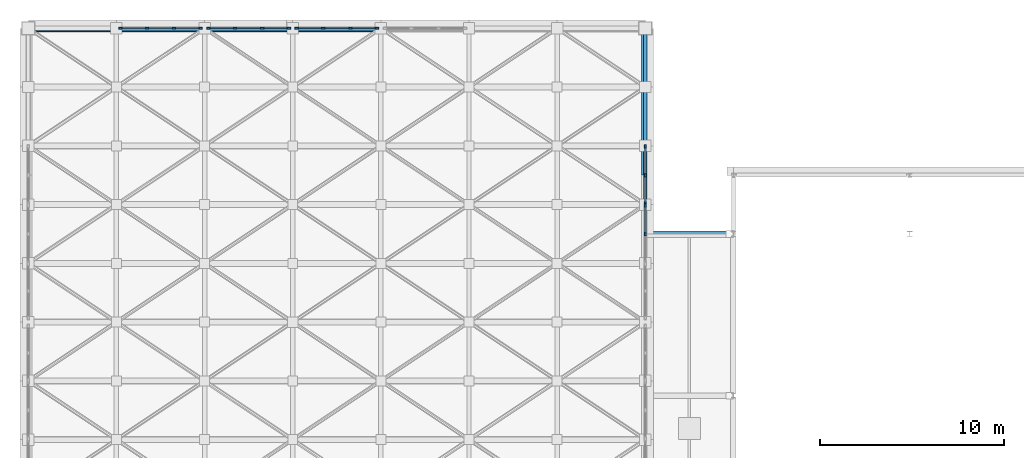
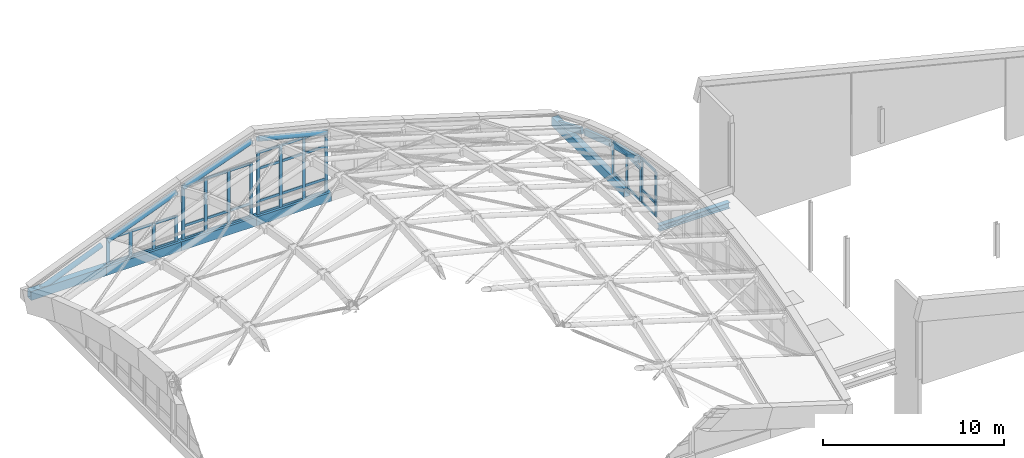
# One storey, part 8 of 14: 58 members, 6 beams, 5 elements without a shape of their own.
"""IFC4 building model written with IfcOpenShell, lengths in metres."""

from ifc_helpers import new_model, si_unit, direction, frame, origin, origin_2d, place, context, subcontext, project, spatial, rectangle, hollow_rectangle, hollow_circle, i_section, extrude, material, material_profile, profile_set, type_object, element, aggregate, save


model = new_model("IFC4")

# Units and contexts
model_context = context("Model", 3, precision=1e-05, world=origin(), true_north=direction((0.0, 1.0)))
body_context = subcontext(model_context, "Body", "Model", "MODEL_VIEW")
ifc_project = project(units=[si_unit("LENGTHUNIT", "METRE"), si_unit("AREAUNIT", "SQUARE_METRE"), si_unit("VOLUMEUNIT", "CUBIC_METRE"), si_unit("PLANEANGLEUNIT", "RADIAN"), si_unit("MASSUNIT", "GRAM", prefix="KILO")], contexts=[model_context])

# Site, building, storey
site_placement = place(None, origin())
site = spatial("IfcSite", under=ifc_project, at=site_placement, CompositionType="ELEMENT")
building_placement = place(site_placement, origin())
building = spatial("IfcBuilding", under=site, at=building_placement, Name="Dunescarp Central Library", CompositionType="ELEMENT")
storey_placement = place(building_placement, frame((0.0, 0.0, 31.800048828125)))
storey = spatial("IfcBuildingStorey", under=building, at=storey_placement, Name="ROOF", CompositionType="ELEMENT", Elevation=31.800048828125)

# Curtain wall, members
ifc_material_1 = material(Name="Marine-grade anodised aluminium 6063-T6", Category="aluminium")
curtain_wall_type = type_object("IfcCurtainWallType", Name="ARC-CW-CROWN", PredefinedType="NOTDEFINED", material=ifc_material_1)
curtain_wall_1_placement = place(storey_placement, origin())
curtain_wall_1 = element("IfcCurtainWall", 1, at=curtain_wall_1_placement, inside=storey, type_object=curtain_wall_type, Name="ROOF curtain wall CW-CROWN-N2", PredefinedType="NOTDEFINED")
ifc_material_profile_1 = material_profile(ifc_material_1, rectangle(XDim=0.090087890625, YDim=0.199951171875, at=origin_2d()), Name="AL 90x200")
ifc_profile_set_1 = profile_set([ifc_material_profile_1], Name="Marine-grade anodised aluminium 6063-T6")
member_type_1 = type_object("IfcMemberType", Name="ARC-CWM-200", PredefinedType="MULLION", material=ifc_profile_set_1)
member_1_placement = place(storey_placement, frame((5.02001953125, 36.800048828125, 0.0), z_axis=(0.0, 0.0, 1.0), x_axis=(0.0, 1.0, 0.0)))
member_1 = element("IfcMember", 2, at=member_1_placement, type_object=member_type_1, Name="CW-CROWN-N2 mullion 1", PredefinedType="MULLION", context=body_context, shape_type="SweptSolid", body=[
    extrude(rectangle(XDim=0.090087890625, YDim=0.199951171875, at=origin_2d()), origin(), (0.0, 0.0, 1.0), 1.75),
])
member_2_placement = place(storey_placement, frame((6.458251953125, 36.800048828125, 0.0), z_axis=(0.0, 0.0, 1.0), x_axis=(0.0, 1.0, 0.0)))
member_2 = element("IfcMember", 3, at=member_2_placement, type_object=member_type_1, Name="CW-CROWN-N2 mullion 2", PredefinedType="MULLION", context=body_context, shape_type="SweptSolid", body=[
    extrude(rectangle(XDim=0.090087890625, YDim=0.199951171875, at=origin_2d()), origin(), (0.0, 0.0, 1.0), 1.75),
])
member_3_placement = place(storey_placement, frame((7.941650390625, 36.800048828125, 0.0), z_axis=(0.0, 0.0, 1.0), x_axis=(0.0, 1.0, 0.0)))
member_3 = element("IfcMember", 4, at=member_3_placement, type_object=member_type_1, Name="CW-CROWN-N2 mullion 3", PredefinedType="MULLION", context=body_context, shape_type="SweptSolid", body=[
    extrude(rectangle(XDim=0.090087890625, YDim=0.199951171875, at=origin_2d()), origin(), (0.0, 0.0, 1.0), 1.75),
])
member_4_placement = place(storey_placement, frame((9.3798828125, 36.800048828125, 0.0), z_axis=(0.0, 0.0, 1.0), x_axis=(0.0, 1.0, 0.0)))
member_4 = element("IfcMember", 5, at=member_4_placement, type_object=member_type_1, Name="CW-CROWN-N2 mullion 4", PredefinedType="MULLION", context=body_context, shape_type="SweptSolid", body=[
    extrude(rectangle(XDim=0.090087890625, YDim=0.199951171875, at=origin_2d()), origin(), (0.0, 0.0, 1.0), 1.75),
])

curtain_wall_2_placement = place(storey_placement, origin())
curtain_wall_2 = element("IfcCurtainWall", 6, at=curtain_wall_2_placement, inside=storey, type_object=curtain_wall_type, Name="ROOF curtain wall CW-CROWN-N3", PredefinedType="NOTDEFINED")
member_5_placement = place(storey_placement, frame((9.820068359375, 36.800048828125, 0.0), z_axis=(0.0, 0.0, 1.0), x_axis=(0.0, 1.0, 0.0)))
member_5 = element("IfcMember", 7, at=member_5_placement, type_object=member_type_1, Name="CW-CROWN-N3 mullion 1", PredefinedType="MULLION", context=body_context, shape_type="SweptSolid", body=[
    extrude(rectangle(XDim=0.090087890625, YDim=0.199951171875, at=origin_2d()), origin(), (0.0, 0.0, 1.0), 3.64990234375),
])
member_6_placement = place(storey_placement, frame((11.25830078125, 36.800048828125, 0.0), z_axis=(0.0, 0.0, 1.0), x_axis=(0.0, 1.0, 0.0)))
member_6 = element("IfcMember", 8, at=member_6_placement, type_object=member_type_1, Name="CW-CROWN-N3 mullion 2", PredefinedType="MULLION", context=body_context, shape_type="SweptSolid", body=[
    extrude(rectangle(XDim=0.090087890625, YDim=0.199951171875, at=origin_2d()), origin(), (0.0, 0.0, 1.0), 3.64990234375),
])
member_7_placement = place(storey_placement, frame((12.74169921875, 36.800048828125, 0.0), z_axis=(0.0, 0.0, 1.0), x_axis=(0.0, 1.0, 0.0)))
member_7 = element("IfcMember", 9, at=member_7_placement, type_object=member_type_1, Name="CW-CROWN-N3 mullion 3", PredefinedType="MULLION", context=body_context, shape_type="SweptSolid", body=[
    extrude(rectangle(XDim=0.090087890625, YDim=0.199951171875, at=origin_2d()), origin(), (0.0, 0.0, 1.0), 3.64990234375),
])
member_8_placement = place(storey_placement, frame((14.179931640625, 36.800048828125, 0.0), z_axis=(0.0, 0.0, 1.0), x_axis=(0.0, 1.0, 0.0)))
member_8 = element("IfcMember", 10, at=member_8_placement, type_object=member_type_1, Name="CW-CROWN-N3 mullion 4", PredefinedType="MULLION", context=body_context, shape_type="SweptSolid", body=[
    extrude(rectangle(XDim=0.090087890625, YDim=0.199951171875, at=origin_2d()), origin(), (0.0, 0.0, 1.0), 3.64990234375),
])

curtain_wall_3_placement = place(storey_placement, origin())
curtain_wall_3 = element("IfcCurtainWall", 11, at=curtain_wall_3_placement, inside=storey, type_object=curtain_wall_type, Name="ROOF curtain wall CW-CROWN-N4", PredefinedType="NOTDEFINED")
member_9_placement = place(storey_placement, frame((14.6201171875, 36.800048828125, 0.0), z_axis=(0.0, 0.0, 1.0), x_axis=(0.0, 1.0, 0.0)))
member_9 = element("IfcMember", 12, at=member_9_placement, type_object=member_type_1, Name="CW-CROWN-N4 mullion 1", PredefinedType="MULLION", context=body_context, shape_type="SweptSolid", body=[
    extrude(rectangle(XDim=0.090087890625, YDim=0.199951171875, at=origin_2d()), origin(), (0.0, 0.0, 1.0), 4.199951171875),
])
member_10_placement = place(storey_placement, frame((16.058349609375, 36.800048828125, 0.0), z_axis=(0.0, 0.0, 1.0), x_axis=(0.0, 1.0, 0.0)))
member_10 = element("IfcMember", 13, at=member_10_placement, type_object=member_type_1, Name="CW-CROWN-N4 mullion 2", PredefinedType="MULLION", context=body_context, shape_type="SweptSolid", body=[
    extrude(rectangle(XDim=0.090087890625, YDim=0.199951171875, at=origin_2d()), origin(), (0.0, 0.0, 1.0), 4.199951171875),
])
member_11_placement = place(storey_placement, frame((17.541748046875, 36.800048828125, 0.0), z_axis=(0.0, 0.0, 1.0), x_axis=(0.0, 1.0, 0.0)))
member_11 = element("IfcMember", 14, at=member_11_placement, type_object=member_type_1, Name="CW-CROWN-N4 mullion 3", PredefinedType="MULLION", context=body_context, shape_type="SweptSolid", body=[
    extrude(rectangle(XDim=0.090087890625, YDim=0.199951171875, at=origin_2d()), origin(), (0.0, 0.0, 1.0), 4.199951171875),
])
member_12_placement = place(storey_placement, frame((18.97998046875, 36.800048828125, 0.0), z_axis=(0.0, 0.0, 1.0), x_axis=(0.0, 1.0, 0.0)))
member_12 = element("IfcMember", 15, at=member_12_placement, type_object=member_type_1, Name="CW-CROWN-N4 mullion 4", PredefinedType="MULLION", context=body_context, shape_type="SweptSolid", body=[
    extrude(rectangle(XDim=0.090087890625, YDim=0.199951171875, at=origin_2d()), origin(), (0.0, 0.0, 1.0), 4.199951171875),
])

curtain_wall_4_placement = place(storey_placement, origin())
curtain_wall_4 = element("IfcCurtainWall", 16, at=curtain_wall_4_placement, inside=storey, type_object=curtain_wall_type, Name="ROOF curtain wall CW-CROWN-E7", PredefinedType="NOTDEFINED")
member_13_placement = place(storey_placement, frame((33.60009765625, 27.155029296875, 0.0), z_axis=(0.0, 0.0, 1.0), x_axis=(1.0, 0.0, 0.0)))
member_13 = element("IfcMember", 17, at=member_13_placement, type_object=member_type_1, Name="CW-CROWN-E7 mullion 1", PredefinedType="MULLION", context=body_context, shape_type="SweptSolid", body=[
    extrude(rectangle(XDim=0.090087890625, YDim=0.199951171875, at=origin_2d()), origin(), (0.0, 0.0, 1.0), 3.0400390625),
])
member_14_placement = place(storey_placement, frame((33.60009765625, 25.60009765625, 0.0), z_axis=(0.0, 0.0, 1.0), x_axis=(1.0, 0.0, 0.0)))
member_14 = element("IfcMember", 18, at=member_14_placement, type_object=member_type_1, Name="CW-CROWN-E7 mullion 2", PredefinedType="MULLION", context=body_context, shape_type="SweptSolid", body=[
    extrude(rectangle(XDim=0.090087890625, YDim=0.199951171875, at=origin_2d()), origin(), (0.0, 0.0, 1.0), 3.0400390625),
])

curtain_wall_5_placement = place(storey_placement, origin())
curtain_wall_5 = element("IfcCurtainWall", 19, at=curtain_wall_5_placement, inside=storey, type_object=curtain_wall_type, Name="ROOF curtain wall CW-CROWN-E8", PredefinedType="NOTDEFINED")
member_15_placement = place(storey_placement, frame((33.60009765625, 30.35498046875, 0.0), z_axis=(0.0, 0.0, 1.0), x_axis=(1.0, 0.0, 0.0)))
member_15 = element("IfcMember", 20, at=member_15_placement, type_object=member_type_1, Name="CW-CROWN-E8 mullion 1", PredefinedType="MULLION", context=body_context, shape_type="SweptSolid", body=[
    extrude(rectangle(XDim=0.090087890625, YDim=0.199951171875, at=origin_2d()), origin(), (0.0, 0.0, 1.0), 2.239990234375),
])
member_16_placement = place(storey_placement, frame((33.60009765625, 28.800048828125, 0.0), z_axis=(0.0, 0.0, 1.0), x_axis=(1.0, 0.0, 0.0)))
member_16 = element("IfcMember", 21, at=member_16_placement, type_object=member_type_1, Name="CW-CROWN-E8 mullion 2", PredefinedType="MULLION", context=body_context, shape_type="SweptSolid", body=[
    extrude(rectangle(XDim=0.090087890625, YDim=0.199951171875, at=origin_2d()), origin(), (0.0, 0.0, 1.0), 2.239990234375),
])
member_17_placement = place(storey_placement, frame((33.60009765625, 27.2451171875, 0.0), z_axis=(0.0, 0.0, 1.0), x_axis=(1.0, 0.0, 0.0)))
member_17 = element("IfcMember", 22, at=member_17_placement, type_object=member_type_1, Name="CW-CROWN-E8 mullion 3", PredefinedType="MULLION", context=body_context, shape_type="SweptSolid", body=[
    extrude(rectangle(XDim=0.090087890625, YDim=0.199951171875, at=origin_2d()), origin(), (0.0, 0.0, 1.0), 2.239990234375),
])

# Member
ifc_material_profile_2 = material_profile(ifc_material_1, rectangle(XDim=0.080078125, YDim=0.169921875, at=origin_2d()), Name="AL 80x170")
ifc_profile_set_2 = profile_set([ifc_material_profile_2], Name="Marine-grade anodised aluminium 6063-T6")
member_type_2 = type_object("IfcMemberType", Name="ARC-CWT-170", PredefinedType="USERDEFINED", material=ifc_profile_set_2)
member_18_placement = place(storey_placement, frame((5.06494140625, 36.800048828125, 0.0400390625), z_axis=(1.0, 0.0, 0.0), x_axis=(0.0, 1.0, 0.0)))
member_18 = element("IfcMember", 23, at=member_18_placement, type_object=member_type_2, Name="CW-CROWN-N2 transom 1.1", ObjectType="TRANSOM", PredefinedType="USERDEFINED", context=body_context, shape_type="SweptSolid", body=[
    extrude(rectangle(XDim=0.080078125, YDim=0.169921875, at=origin_2d()), origin(), (0.0, 0.0, 1.0), 1.348388671875),
])

member_19_placement = place(storey_placement, frame((5.06494140625, 36.800048828125, 1.7099609375), z_axis=(1.0, 0.0, 0.0), x_axis=(0.0, 1.0, 0.0)))
member_19 = element("IfcMember", 24, at=member_19_placement, type_object=member_type_2, Name="CW-CROWN-N2 transom 1.2", ObjectType="TRANSOM", PredefinedType="USERDEFINED", context=body_context, shape_type="SweptSolid", body=[
    extrude(rectangle(XDim=0.080078125, YDim=0.169921875, at=origin_2d()), origin(), (0.0, 0.0, 1.0), 1.348388671875),
])

member_20_placement = place(storey_placement, frame((6.50341796875, 36.800048828125, 0.0400390625), z_axis=(1.0, 0.0, 0.0), x_axis=(0.0, 1.0, 0.0)))
member_20 = element("IfcMember", 25, at=member_20_placement, type_object=member_type_2, Name="CW-CROWN-N2 transom 2.1", ObjectType="TRANSOM", PredefinedType="USERDEFINED", context=body_context, shape_type="SweptSolid", body=[
    extrude(rectangle(XDim=0.080078125, YDim=0.169921875, at=origin_2d()), origin(), (0.0, 0.0, 1.0), 1.393310546875),
])

member_21_placement = place(storey_placement, frame((6.50341796875, 36.800048828125, 1.7099609375), z_axis=(1.0, 0.0, 0.0), x_axis=(0.0, 1.0, 0.0)))
member_21 = element("IfcMember", 26, at=member_21_placement, type_object=member_type_2, Name="CW-CROWN-N2 transom 2.2", ObjectType="TRANSOM", PredefinedType="USERDEFINED", context=body_context, shape_type="SweptSolid", body=[
    extrude(rectangle(XDim=0.080078125, YDim=0.169921875, at=origin_2d()), origin(), (0.0, 0.0, 1.0), 1.393310546875),
])

member_22_placement = place(storey_placement, frame((7.986572265625, 36.800048828125, 0.0400390625), z_axis=(1.0, 0.0, 0.0), x_axis=(0.0, 1.0, 0.0)))
member_22 = element("IfcMember", 27, at=member_22_placement, type_object=member_type_2, Name="CW-CROWN-N2 transom 3.1", ObjectType="TRANSOM", PredefinedType="USERDEFINED", context=body_context, shape_type="SweptSolid", body=[
    extrude(rectangle(XDim=0.080078125, YDim=0.169921875, at=origin_2d()), origin(), (0.0, 0.0, 1.0), 1.348388671875),
])

member_23_placement = place(storey_placement, frame((7.986572265625, 36.800048828125, 1.7099609375), z_axis=(1.0, 0.0, 0.0), x_axis=(0.0, 1.0, 0.0)))
member_23 = element("IfcMember", 28, at=member_23_placement, type_object=member_type_2, Name="CW-CROWN-N2 transom 3.2", ObjectType="TRANSOM", PredefinedType="USERDEFINED", context=body_context, shape_type="SweptSolid", body=[
    extrude(rectangle(XDim=0.080078125, YDim=0.169921875, at=origin_2d()), origin(), (0.0, 0.0, 1.0), 1.348388671875),
])

aggregate(curtain_wall_1, [member_1, member_2, member_3, member_4, member_18, member_19, member_20, member_21, member_22, member_23])

member_24_placement = place(storey_placement, frame((9.864990234375, 36.800048828125, 0.0400390625), z_axis=(1.0, 0.0, 0.0), x_axis=(0.0, 1.0, 0.0)))
member_24 = element("IfcMember", 29, at=member_24_placement, type_object=member_type_2, Name="CW-CROWN-N3 transom 1.1", ObjectType="TRANSOM", PredefinedType="USERDEFINED", context=body_context, shape_type="SweptSolid", body=[
    extrude(rectangle(XDim=0.080078125, YDim=0.169921875, at=origin_2d()), origin(), (0.0, 0.0, 1.0), 1.348388671875),
])

member_25_placement = place(storey_placement, frame((9.864990234375, 36.800048828125, 0.89990234375), z_axis=(1.0, 0.0, 0.0), x_axis=(0.0, 1.0, 0.0)))
member_25 = element("IfcMember", 30, at=member_25_placement, type_object=member_type_2, Name="CW-CROWN-N3 transom 1.2", ObjectType="TRANSOM", PredefinedType="USERDEFINED", context=body_context, shape_type="SweptSolid", body=[
    extrude(rectangle(XDim=0.080078125, YDim=0.169921875, at=origin_2d()), origin(), (0.0, 0.0, 1.0), 1.348388671875),
])

member_26_placement = place(storey_placement, frame((9.864990234375, 36.800048828125, 3.60986328125), z_axis=(1.0, 0.0, 0.0), x_axis=(0.0, 1.0, 0.0)))
member_26 = element("IfcMember", 31, at=member_26_placement, type_object=member_type_2, Name="CW-CROWN-N3 transom 1.3", ObjectType="TRANSOM", PredefinedType="USERDEFINED", context=body_context, shape_type="SweptSolid", body=[
    extrude(rectangle(XDim=0.080078125, YDim=0.169921875, at=origin_2d()), origin(), (0.0, 0.0, 1.0), 1.348388671875),
])

member_27_placement = place(storey_placement, frame((11.30322265625, 36.800048828125, 0.0400390625), z_axis=(1.0, 0.0, 0.0), x_axis=(0.0, 1.0, 0.0)))
member_27 = element("IfcMember", 32, at=member_27_placement, type_object=member_type_2, Name="CW-CROWN-N3 transom 2.1", ObjectType="TRANSOM", PredefinedType="USERDEFINED", context=body_context, shape_type="SweptSolid", body=[
    extrude(rectangle(XDim=0.080078125, YDim=0.169921875, at=origin_2d()), origin(), (0.0, 0.0, 1.0), 1.3935546875),
])

member_28_placement = place(storey_placement, frame((11.30322265625, 36.800048828125, 0.89990234375), z_axis=(1.0, 0.0, 0.0), x_axis=(0.0, 1.0, 0.0)))
member_28 = element("IfcMember", 33, at=member_28_placement, type_object=member_type_2, Name="CW-CROWN-N3 transom 2.2", ObjectType="TRANSOM", PredefinedType="USERDEFINED", context=body_context, shape_type="SweptSolid", body=[
    extrude(rectangle(XDim=0.080078125, YDim=0.169921875, at=origin_2d()), origin(), (0.0, 0.0, 1.0), 1.3935546875),
])

member_29_placement = place(storey_placement, frame((11.30322265625, 36.800048828125, 3.60986328125), z_axis=(1.0, 0.0, 0.0), x_axis=(0.0, 1.0, 0.0)))
member_29 = element("IfcMember", 34, at=member_29_placement, type_object=member_type_2, Name="CW-CROWN-N3 transom 2.3", ObjectType="TRANSOM", PredefinedType="USERDEFINED", context=body_context, shape_type="SweptSolid", body=[
    extrude(rectangle(XDim=0.080078125, YDim=0.169921875, at=origin_2d()), origin(), (0.0, 0.0, 1.0), 1.3935546875),
])

member_30_placement = place(storey_placement, frame((12.78662109375, 36.800048828125, 0.0400390625), z_axis=(1.0, 0.0, 0.0), x_axis=(0.0, 1.0, 0.0)))
member_30 = element("IfcMember", 35, at=member_30_placement, type_object=member_type_2, Name="CW-CROWN-N3 transom 3.1", ObjectType="TRANSOM", PredefinedType="USERDEFINED", context=body_context, shape_type="SweptSolid", body=[
    extrude(rectangle(XDim=0.080078125, YDim=0.169921875, at=origin_2d()), origin(), (0.0, 0.0, 1.0), 1.348388671875),
])

member_31_placement = place(storey_placement, frame((12.78662109375, 36.800048828125, 0.89990234375), z_axis=(1.0, 0.0, 0.0), x_axis=(0.0, 1.0, 0.0)))
member_31 = element("IfcMember", 36, at=member_31_placement, type_object=member_type_2, Name="CW-CROWN-N3 transom 3.2", ObjectType="TRANSOM", PredefinedType="USERDEFINED", context=body_context, shape_type="SweptSolid", body=[
    extrude(rectangle(XDim=0.080078125, YDim=0.169921875, at=origin_2d()), origin(), (0.0, 0.0, 1.0), 1.348388671875),
])

member_32_placement = place(storey_placement, frame((12.78662109375, 36.800048828125, 3.60986328125), z_axis=(1.0, 0.0, 0.0), x_axis=(0.0, 1.0, 0.0)))
member_32 = element("IfcMember", 37, at=member_32_placement, type_object=member_type_2, Name="CW-CROWN-N3 transom 3.3", ObjectType="TRANSOM", PredefinedType="USERDEFINED", context=body_context, shape_type="SweptSolid", body=[
    extrude(rectangle(XDim=0.080078125, YDim=0.169921875, at=origin_2d()), origin(), (0.0, 0.0, 1.0), 1.348388671875),
])

aggregate(curtain_wall_2, [member_5, member_6, member_7, member_8, member_24, member_25, member_26, member_27, member_28, member_29, member_30, member_31, member_32])

member_33_placement = place(storey_placement, frame((14.6650390625, 36.800048828125, 0.0400390625), z_axis=(1.0, 0.0, 0.0), x_axis=(0.0, 1.0, 0.0)))
member_33 = element("IfcMember", 38, at=member_33_placement, type_object=member_type_2, Name="CW-CROWN-N4 transom 1.1", ObjectType="TRANSOM", PredefinedType="USERDEFINED", context=body_context, shape_type="SweptSolid", body=[
    extrude(rectangle(XDim=0.080078125, YDim=0.169921875, at=origin_2d()), origin(), (0.0, 0.0, 1.0), 1.348388671875),
])

member_34_placement = place(storey_placement, frame((14.6650390625, 36.800048828125, 0.89990234375), z_axis=(1.0, 0.0, 0.0), x_axis=(0.0, 1.0, 0.0)))
member_34 = element("IfcMember", 39, at=member_34_placement, type_object=member_type_2, Name="CW-CROWN-N4 transom 1.2", ObjectType="TRANSOM", PredefinedType="USERDEFINED", context=body_context, shape_type="SweptSolid", body=[
    extrude(rectangle(XDim=0.080078125, YDim=0.169921875, at=origin_2d()), origin(), (0.0, 0.0, 1.0), 1.348388671875),
])

member_35_placement = place(storey_placement, frame((14.6650390625, 36.800048828125, 3.099853515625), z_axis=(1.0, 0.0, 0.0), x_axis=(0.0, 1.0, 0.0)))
member_35 = element("IfcMember", 40, at=member_35_placement, type_object=member_type_2, Name="CW-CROWN-N4 transom 1.3", ObjectType="TRANSOM", PredefinedType="USERDEFINED", context=body_context, shape_type="SweptSolid", body=[
    extrude(rectangle(XDim=0.080078125, YDim=0.169921875, at=origin_2d()), origin(), (0.0, 0.0, 1.0), 1.348388671875),
])

member_36_placement = place(storey_placement, frame((14.6650390625, 36.800048828125, 4.159912109375), z_axis=(1.0, 0.0, 0.0), x_axis=(0.0, 1.0, 0.0)))
member_36 = element("IfcMember", 41, at=member_36_placement, type_object=member_type_2, Name="CW-CROWN-N4 transom 1.4", ObjectType="TRANSOM", PredefinedType="USERDEFINED", context=body_context, shape_type="SweptSolid", body=[
    extrude(rectangle(XDim=0.080078125, YDim=0.169921875, at=origin_2d()), origin(), (0.0, 0.0, 1.0), 1.348388671875),
])

member_37_placement = place(storey_placement, frame((16.103271484375, 36.800048828125, 0.0400390625), z_axis=(1.0, 0.0, 0.0), x_axis=(0.0, 1.0, 0.0)))
member_37 = element("IfcMember", 42, at=member_37_placement, type_object=member_type_2, Name="CW-CROWN-N4 transom 2.1", ObjectType="TRANSOM", PredefinedType="USERDEFINED", context=body_context, shape_type="SweptSolid", body=[
    extrude(rectangle(XDim=0.080078125, YDim=0.169921875, at=origin_2d()), origin(), (0.0, 0.0, 1.0), 1.393310546875),
])

member_38_placement = place(storey_placement, frame((16.103271484375, 36.800048828125, 0.89990234375), z_axis=(1.0, 0.0, 0.0), x_axis=(0.0, 1.0, 0.0)))
member_38 = element("IfcMember", 43, at=member_38_placement, type_object=member_type_2, Name="CW-CROWN-N4 transom 2.2", ObjectType="TRANSOM", PredefinedType="USERDEFINED", context=body_context, shape_type="SweptSolid", body=[
    extrude(rectangle(XDim=0.080078125, YDim=0.169921875, at=origin_2d()), origin(), (0.0, 0.0, 1.0), 1.393310546875),
])

member_39_placement = place(storey_placement, frame((16.103271484375, 36.800048828125, 3.099853515625), z_axis=(1.0, 0.0, 0.0), x_axis=(0.0, 1.0, 0.0)))
member_39 = element("IfcMember", 44, at=member_39_placement, type_object=member_type_2, Name="CW-CROWN-N4 transom 2.3", ObjectType="TRANSOM", PredefinedType="USERDEFINED", context=body_context, shape_type="SweptSolid", body=[
    extrude(rectangle(XDim=0.080078125, YDim=0.169921875, at=origin_2d()), origin(), (0.0, 0.0, 1.0), 1.393310546875),
])

member_40_placement = place(storey_placement, frame((16.103271484375, 36.800048828125, 4.159912109375), z_axis=(1.0, 0.0, 0.0), x_axis=(0.0, 1.0, 0.0)))
member_40 = element("IfcMember", 45, at=member_40_placement, type_object=member_type_2, Name="CW-CROWN-N4 transom 2.4", ObjectType="TRANSOM", PredefinedType="USERDEFINED", context=body_context, shape_type="SweptSolid", body=[
    extrude(rectangle(XDim=0.080078125, YDim=0.169921875, at=origin_2d()), origin(), (0.0, 0.0, 1.0), 1.393310546875),
])

member_41_placement = place(storey_placement, frame((17.586669921875, 36.800048828125, 0.0400390625), z_axis=(1.0, 0.0, 0.0), x_axis=(0.0, 1.0, 0.0)))
member_41 = element("IfcMember", 46, at=member_41_placement, type_object=member_type_2, Name="CW-CROWN-N4 transom 3.1", ObjectType="TRANSOM", PredefinedType="USERDEFINED", context=body_context, shape_type="SweptSolid", body=[
    extrude(rectangle(XDim=0.080078125, YDim=0.169921875, at=origin_2d()), origin(), (0.0, 0.0, 1.0), 1.348388671875),
])

member_42_placement = place(storey_placement, frame((17.586669921875, 36.800048828125, 0.89990234375), z_axis=(1.0, 0.0, 0.0), x_axis=(0.0, 1.0, 0.0)))
member_42 = element("IfcMember", 47, at=member_42_placement, type_object=member_type_2, Name="CW-CROWN-N4 transom 3.2", ObjectType="TRANSOM", PredefinedType="USERDEFINED", context=body_context, shape_type="SweptSolid", body=[
    extrude(rectangle(XDim=0.080078125, YDim=0.169921875, at=origin_2d()), origin(), (0.0, 0.0, 1.0), 1.348388671875),
])

member_43_placement = place(storey_placement, frame((17.586669921875, 36.800048828125, 3.099853515625), z_axis=(1.0, 0.0, 0.0), x_axis=(0.0, 1.0, 0.0)))
member_43 = element("IfcMember", 48, at=member_43_placement, type_object=member_type_2, Name="CW-CROWN-N4 transom 3.3", ObjectType="TRANSOM", PredefinedType="USERDEFINED", context=body_context, shape_type="SweptSolid", body=[
    extrude(rectangle(XDim=0.080078125, YDim=0.169921875, at=origin_2d()), origin(), (0.0, 0.0, 1.0), 1.348388671875),
])

member_44_placement = place(storey_placement, frame((17.586669921875, 36.800048828125, 4.159912109375), z_axis=(1.0, 0.0, 0.0), x_axis=(0.0, 1.0, 0.0)))
member_44 = element("IfcMember", 49, at=member_44_placement, type_object=member_type_2, Name="CW-CROWN-N4 transom 3.4", ObjectType="TRANSOM", PredefinedType="USERDEFINED", context=body_context, shape_type="SweptSolid", body=[
    extrude(rectangle(XDim=0.080078125, YDim=0.169921875, at=origin_2d()), origin(), (0.0, 0.0, 1.0), 1.348388671875),
])

aggregate(curtain_wall_3, [member_9, member_10, member_11, member_12, member_33, member_34, member_35, member_36, member_37, member_38, member_39, member_40, member_41, member_42, member_43, member_44])

member_45_placement = place(storey_placement, frame((33.60009765625, 27.110107421875, 0.0400390625), z_axis=(0.0, -1.0, 0.0), x_axis=(1.0, 0.0, 0.0)))
member_45 = element("IfcMember", 50, at=member_45_placement, type_object=member_type_2, Name="CW-CROWN-E7 transom 1.1", ObjectType="TRANSOM", PredefinedType="USERDEFINED", context=body_context, shape_type="SweptSolid", body=[
    extrude(rectangle(XDim=0.080078125, YDim=0.169921875, at=origin_2d()), origin(), (0.0, 0.0, 1.0), 1.465087890625),
])

member_46_placement = place(storey_placement, frame((33.60009765625, 27.110107421875, 0.89990234375), z_axis=(0.0, -1.0, 0.0), x_axis=(1.0, 0.0, 0.0)))
member_46 = element("IfcMember", 51, at=member_46_placement, type_object=member_type_2, Name="CW-CROWN-E7 transom 1.2", ObjectType="TRANSOM", PredefinedType="USERDEFINED", context=body_context, shape_type="SweptSolid", body=[
    extrude(rectangle(XDim=0.080078125, YDim=0.169921875, at=origin_2d()), origin(), (0.0, 0.0, 1.0), 1.465087890625),
])

member_47_placement = place(storey_placement, frame((33.60009765625, 27.110107421875, 3.0), z_axis=(0.0, -1.0, 0.0), x_axis=(1.0, 0.0, 0.0)))
member_47 = element("IfcMember", 52, at=member_47_placement, type_object=member_type_2, Name="CW-CROWN-E7 transom 1.3", ObjectType="TRANSOM", PredefinedType="USERDEFINED", context=body_context, shape_type="SweptSolid", body=[
    extrude(rectangle(XDim=0.080078125, YDim=0.169921875, at=origin_2d()), origin(), (0.0, 0.0, 1.0), 1.465087890625),
])

aggregate(curtain_wall_4, [member_13, member_14, member_45, member_46, member_47])

member_48_placement = place(storey_placement, frame((33.60009765625, 30.31005859375, 0.0400390625), z_axis=(0.0, -1.0, 0.0), x_axis=(1.0, 0.0, 0.0)))
member_48 = element("IfcMember", 53, at=member_48_placement, type_object=member_type_2, Name="CW-CROWN-E8 transom 1.1", ObjectType="TRANSOM", PredefinedType="USERDEFINED", context=body_context, shape_type="SweptSolid", body=[
    extrude(rectangle(XDim=0.080078125, YDim=0.169921875, at=origin_2d()), origin(), (0.0, 0.0, 1.0), 1.465087890625),
])

member_49_placement = place(storey_placement, frame((33.60009765625, 30.31005859375, 2.199951171875), z_axis=(0.0, -1.0, 0.0), x_axis=(1.0, 0.0, 0.0)))
member_49 = element("IfcMember", 54, at=member_49_placement, type_object=member_type_2, Name="CW-CROWN-E8 transom 1.2", ObjectType="TRANSOM", PredefinedType="USERDEFINED", context=body_context, shape_type="SweptSolid", body=[
    extrude(rectangle(XDim=0.080078125, YDim=0.169921875, at=origin_2d()), origin(), (0.0, 0.0, 1.0), 1.465087890625),
])

member_50_placement = place(storey_placement, frame((33.60009765625, 28.7548828125, 0.0400390625), z_axis=(0.0, -1.0, 0.0), x_axis=(1.0, 0.0, 0.0)))
member_50 = element("IfcMember", 55, at=member_50_placement, type_object=member_type_2, Name="CW-CROWN-E8 transom 2.1", ObjectType="TRANSOM", PredefinedType="USERDEFINED", context=body_context, shape_type="SweptSolid", body=[
    extrude(rectangle(XDim=0.080078125, YDim=0.169921875, at=origin_2d()), origin(), (0.0, 0.0, 1.0), 1.46484375),
])

member_51_placement = place(storey_placement, frame((33.60009765625, 28.7548828125, 2.199951171875), z_axis=(0.0, -1.0, 0.0), x_axis=(1.0, 0.0, 0.0)))
member_51 = element("IfcMember", 56, at=member_51_placement, type_object=member_type_2, Name="CW-CROWN-E8 transom 2.2", ObjectType="TRANSOM", PredefinedType="USERDEFINED", context=body_context, shape_type="SweptSolid", body=[
    extrude(rectangle(XDim=0.080078125, YDim=0.169921875, at=origin_2d()), origin(), (0.0, 0.0, 1.0), 1.46484375),
])

aggregate(curtain_wall_5, [member_15, member_16, member_17, member_48, member_49, member_50, member_51])

# Beam
ifc_material_2 = material(Name="Steel S355JR", Category="steel")
ifc_material_profile_3 = material_profile(ifc_material_2, i_section(OverallWidth=0.300048828125, OverallDepth=0.389892578125, WebThickness=0.010986328125, FlangeThickness=0.01904296875, at=origin_2d()), Name="HEA 400")
ifc_profile_set_3 = profile_set([ifc_material_profile_3], Name="Steel S355JR")
beam_type_1 = type_object("IfcBeamType", Name="STR-BM-HEA400", PredefinedType="BEAM", material=ifc_profile_set_3)
beam_1_placement = place(storey_placement, frame((33.7529296875, 25.60009765625, -0.795166015625), z_axis=(1.0, 0.0, 0.0), x_axis=(0.0, 1.0, 0.0)))
element("IfcBeam", 57, at=beam_1_placement, inside=storey, type_object=beam_type_1, Name="ROOF girder BM-ROOF-20005", PredefinedType="BEAM", context=body_context, shape_type="SweptSolid", body=[
    extrude(i_section(OverallWidth=0.300048828125, OverallDepth=0.389892578125, WebThickness=0.010986328125, FlangeThickness=0.01904296875, at=origin_2d()), origin(), (0.0, 0.0, 1.0), 4.51904296875),
])

# Members
ifc_material_3 = material(Name="Steel S355J0", Category="steel")
ifc_material_profile_4 = material_profile(ifc_material_3, hollow_circle(Radius=0.161865234375, WallThickness=0.012451171875, at=origin_2d()), Name="CHS 323.9x12.5")
ifc_profile_set_4 = profile_set([ifc_material_profile_4], Name="Steel S355J0")
member_type_3 = type_object("IfcMemberType", Name="STR-GS-ARCH", PredefinedType="USERDEFINED", material=ifc_profile_set_4)
member_52_placement = place(storey_placement, frame((0.18505859375, 36.800048828125, -0.364990234375), z_axis=(0.926438199705, 0.0, 0.376446891509), x_axis=(0.0, 1.0, 0.0)))
element("IfcMember", 58, at=member_52_placement, inside=storey, type_object=member_type_3, Name="Gridshell arch rib GS-A-010", ObjectType="ARCH_SEGMENT", PredefinedType="USERDEFINED", context=body_context, shape_type="SweptSolid", body=[
    extrude(hollow_circle(Radius=0.161865234375, WallThickness=0.012451171875, at=origin_2d()), origin(), (0.0, 0.0, 1.0), 4.78173828125),
])
member_53_placement = place(storey_placement, frame((4.986083984375, 36.800048828125, 1.583984375), z_axis=(0.929863257508, 0.0, 0.36790531708), x_axis=(0.0, 1.0, 0.0)))
element("IfcMember", 59, at=member_53_placement, inside=storey, type_object=member_type_3, Name="Gridshell arch rib GS-A-110", ObjectType="ARCH_SEGMENT", PredefinedType="USERDEFINED", context=body_context, shape_type="SweptSolid", body=[
    extrude(hollow_circle(Radius=0.161865234375, WallThickness=0.012451171875, at=origin_2d()), origin(), (0.0, 0.0, 1.0), 4.761962890625),
])
member_54_placement = place(storey_placement, frame((9.7880859375, 36.800048828125, 3.47900390625), z_axis=(0.939561575961, 0.0, 0.342379971637), x_axis=(0.0, 1.0, 0.0)))
element("IfcMember", 60, at=member_54_placement, inside=storey, type_object=member_type_3, Name="Gridshell arch rib GS-A-210", ObjectType="ARCH_SEGMENT", PredefinedType="USERDEFINED", context=body_context, shape_type="SweptSolid", body=[
    extrude(hollow_circle(Radius=0.161865234375, WallThickness=0.012451171875, at=origin_2d()), origin(), (0.0, 0.0, 1.0), 4.70849609375),
])
member_55_placement = place(storey_placement, frame((14.593994140625, 36.800048828125, 5.11083984375), z_axis=(0.970205626745, 0.0, -0.242282978835), x_axis=(0.0, 1.0, 0.0)))
element("IfcMember", 61, at=member_55_placement, inside=storey, type_object=member_type_3, Name="Gridshell arch rib GS-A-310", ObjectType="ARCH_SEGMENT", PredefinedType="USERDEFINED", context=body_context, shape_type="SweptSolid", body=[
    extrude(hollow_circle(Radius=0.161865234375, WallThickness=0.012451171875, at=origin_2d()), origin(), (0.0, 0.0, 1.0), 4.547607421875),
])
ifc_material_4 = material(Name="Glulam GL28h", Category="wood")
ifc_material_profile_5 = material_profile(ifc_material_4, rectangle(XDim=0.199951171875, YDim=0.39990234375, at=origin_2d()), Name="GL28h 200x400")
ifc_profile_set_5 = profile_set([ifc_material_profile_5], Name="Glulam GL28h")
member_type_4 = type_object("IfcMemberType", Name="STR-GS-GLULAM2", PredefinedType="CHORD", material=ifc_profile_set_5)
member_56_placement = place(storey_placement, frame((33.60009765625, 27.39404296875, 2.7509765625), z_axis=(0.0, 0.970231625732, -0.242178843895), x_axis=(-1.0, 0.0, 0.0)))
element("IfcMember", 62, at=member_56_placement, inside=storey, type_object=member_type_4, Name="Gridshell glulam rib GS-T-707", PredefinedType="CHORD", context=body_context, shape_type="SweptSolid", body=[
    extrude(rectangle(XDim=0.199951171875, YDim=0.39990234375, at=origin_2d()), origin(), (0.0, 0.0, 1.0), 2.898193359375),
])
member_57_placement = place(storey_placement, frame((33.60009765625, 30.589111328125, 1.93603515625), z_axis=(0.0, 0.947512768906, -0.319717926867), x_axis=(-1.0, 0.0, 0.0)))
element("IfcMember", 63, at=member_57_placement, inside=storey, type_object=member_type_4, Name="Gridshell glulam rib GS-T-708", PredefinedType="CHORD", context=body_context, shape_type="SweptSolid", body=[
    extrude(rectangle(XDim=0.199951171875, YDim=0.39990234375, at=origin_2d()), origin(), (0.0, 0.0, 1.0), 2.97802734375),
])
member_58_placement = place(storey_placement, frame((33.60009765625, 33.783935546875, 0.842041015625), z_axis=(0.0, 0.920273791564, -0.39127502931), x_axis=(-1.0, 0.0, 0.0)))
element("IfcMember", 64, at=member_58_placement, inside=storey, type_object=member_type_4, Name="Gridshell glulam rib GS-T-709", PredefinedType="CHORD", context=body_context, shape_type="SweptSolid", body=[
    extrude(rectangle(XDim=0.199951171875, YDim=0.39990234375, at=origin_2d()), origin(), (0.0, 0.0, 1.0), 3.077392578125),
])

# Beams
ifc_material_profile_6 = material_profile(ifc_material_3, hollow_rectangle(XDim=0.39990234375, YDim=0.60009765625, WallThickness=0.02001953125, at=origin_2d()), Name="RHS 600x400x20")
ifc_profile_set_6 = profile_set([ifc_material_profile_6], Name="Steel S355J0")
beam_type_2 = type_object("IfcBeamType", Name="STR-SP-GRB1", PredefinedType="SPANDREL", material=ifc_profile_set_6)
for number, where, z_axis, x_axis, name in (
    (65, (0.0, 36.800048828125, -0.300048828125), (1.0, 0.0, 0.0), (0.0, 1.0, 0.0), "Gridshell ring beam GRB-1 GRB1-N02"),
    (66, (4.800048828125, 36.800048828125, -0.300048828125), (1.0, 0.0, 0.0), (0.0, 1.0, 0.0), "Gridshell ring beam GRB-1 GRB1-N04"),
):
    element("IfcBeam", number, at=place(storey_placement, frame(where, z_axis=z_axis, x_axis=x_axis)), inside=storey, type_object=beam_type_2, Name=name, PredefinedType="SPANDREL", context=body_context, shape_type="SweptSolid", body=[
        extrude(hollow_rectangle(XDim=0.39990234375, YDim=0.60009765625, WallThickness=0.02001953125, at=origin_2d()), origin(), (0.0, 0.0, 1.0), 4.800048828125),
    ])
beam_2_placement = place(storey_placement, frame((9.60009765625, 36.800048828125, -0.300048828125), z_axis=(1.0, 0.0, 0.0), x_axis=(0.0, 1.0, 0.0)))
element("IfcBeam", 67, at=beam_2_placement, inside=storey, type_object=beam_type_2, Name="Gridshell ring beam GRB-1 GRB1-N06", PredefinedType="SPANDREL", context=body_context, shape_type="SweptSolid", body=[
    extrude(hollow_rectangle(XDim=0.39990234375, YDim=0.60009765625, WallThickness=0.02001953125, at=origin_2d()), origin(), (0.0, 0.0, 1.0), 4.7998046875),
])
beam_3_placement = place(storey_placement, frame((14.39990234375, 36.800048828125, -0.300048828125), z_axis=(1.0, 0.0, 0.0), x_axis=(0.0, 1.0, 0.0)))
element("IfcBeam", 68, at=beam_3_placement, inside=storey, type_object=beam_type_2, Name="Gridshell ring beam GRB-1 GRB1-N08", PredefinedType="SPANDREL", context=body_context, shape_type="SweptSolid", body=[
    extrude(hollow_rectangle(XDim=0.39990234375, YDim=0.60009765625, WallThickness=0.02001953125, at=origin_2d()), origin(), (0.0, 0.0, 1.0), 4.800048828125),
])
beam_4_placement = place(storey_placement, frame((33.60009765625, 28.800048828125, -0.300048828125), z_axis=(0.0, 1.0, 0.0), x_axis=(-1.0, 0.0, 0.0)))
element("IfcBeam", 69, at=beam_4_placement, inside=storey, type_object=beam_type_2, Name="Gridshell ring beam GRB-1 GRB1-E22", PredefinedType="SPANDREL", context=body_context, shape_type="SweptSolid", body=[
    extrude(hollow_rectangle(XDim=0.39990234375, YDim=0.60009765625, WallThickness=0.02001953125, at=origin_2d()), origin(), (0.0, 0.0, 1.0), 8.0),
])

save(model, "model.ifc")
